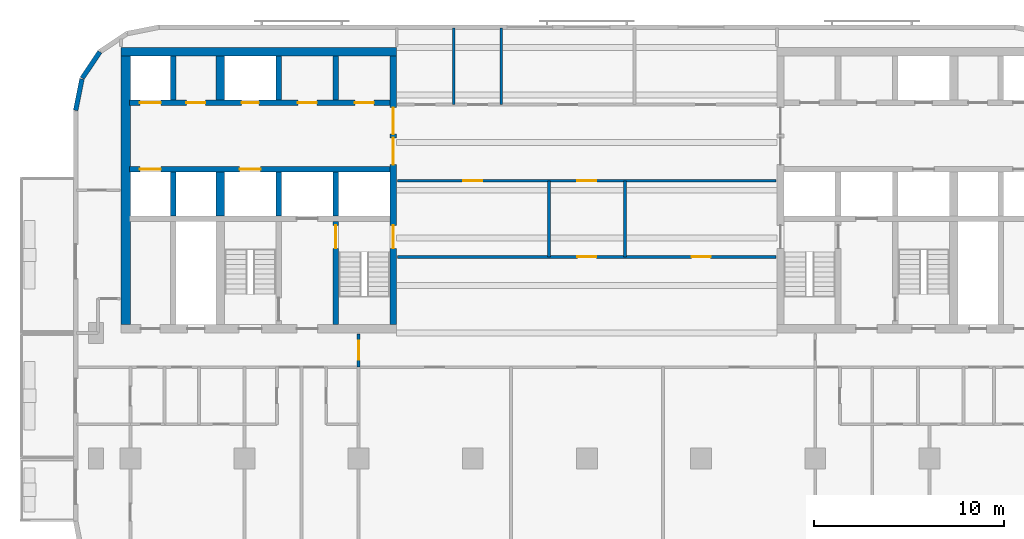
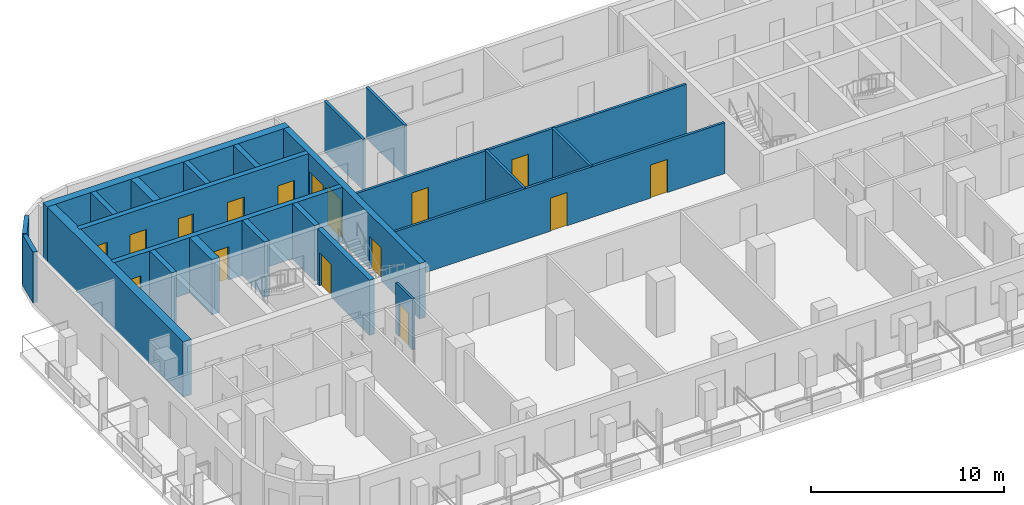
# One storey, part 4 of 11: 23 walls, 16 doors, 16 openings.
"""IFC4 building model written with IfcOpenShell, lengths in metres."""

from ifc_helpers import new_model, si_unit, direction, frame, frame_2d, origin, place, context, subcontext, project, spatial, rectangle, extrude, material, layer, layer_set, type_object, element, fill, save


model = new_model("IFC4")

# Units and contexts
model_context = context("Model", 3, precision=1e-05, world=origin(), true_north=direction((0.0, 1.0)))
body_context = subcontext(model_context, "Body", "Model", "MODEL_VIEW")
ifc_project = project(units=[si_unit("LENGTHUNIT", "METRE"), si_unit("AREAUNIT", "SQUARE_METRE"), si_unit("VOLUMEUNIT", "CUBIC_METRE"), si_unit("PLANEANGLEUNIT", "RADIAN"), si_unit("MASSUNIT", "GRAM", prefix="KILO")], contexts=[model_context])

# Site, building, storey
site_placement = place(None, origin())
site = spatial("IfcSite", under=ifc_project, at=site_placement, CompositionType="ELEMENT")
building_placement = place(site_placement, origin())
building = spatial("IfcBuilding", under=site, at=building_placement, Name="Torana Hotel and Residences", CompositionType="ELEMENT")
storey_placement = place(building_placement, frame((0.0, 0.0, 190.60009765625)))
storey = spatial("IfcBuildingStorey", under=building, at=storey_placement, Name="L49", CompositionType="ELEMENT", Elevation=190.60009765625)

# Wall, openings, doors
ifc_material_1 = material(Name="Concrete C70/85", Category="concrete")
ifc_layer_1 = layer(ifc_material_1, 0.300048828125)
ifc_layer_set_1 = layer_set([ifc_layer_1], Name="CORE WALL 300 C70/85")
wall_type_1 = type_object("IfcWallType", Name="CORE WALL 300 C70/85", PredefinedType="SHEAR", material=ifc_layer_set_1)
wall_1_placement = place(storey_placement, frame((-24.050048828125, -2.89990234375, 0.0), z_axis=(0.0, 0.0, 1.0), x_axis=(1.0, 0.0, 0.0)))
wall_1 = element("IfcWall", 1, at=wall_1_placement, inside=storey, type_object=wall_type_1, Name="Core wall W row-N", PredefinedType="SHEAR", context=body_context, shape_type="SweptSolid", body=[
    extrude(rectangle(XDim=13.699951171875, YDim=0.300048828125, at=frame_2d((6.85009765625, 0.0))), origin(), (0.0, 0.0, 1.0), 3.5),
])
opening_1_placement = place(wall_1_placement, frame((0.550048828125, 0.0, 0.0)))
opening_1 = element("IfcOpeningElement", 2, at=opening_1_placement, cuts=wall_1, Name="Opening LD", PredefinedType="OPENING", context=body_context, shape_type="SweptSolid", body=[
    extrude(rectangle(XDim=1.10009765625, YDim=2.10009765625, at=frame_2d((0.550048828125, 1.050048828125))), frame((0.0, 0.159912109375, 0.0), z_axis=(0.0, -1.0, 0.0), x_axis=(1.0, 0.0, 0.0)), (0.0, 0.0, 1.0), 0.320068359375),
])
opening_2_placement = place(wall_1_placement, frame((5.89990234375, 0.0, 0.0)))
opening_2 = element("IfcOpeningElement", 3, at=opening_2_placement, cuts=wall_1, Name="Opening L49-08", PredefinedType="OPENING", context=body_context, shape_type="SweptSolid", body=[
    extrude(rectangle(XDim=0.89990234375, YDim=2.10009765625, at=frame_2d((0.449951171875, 1.050048828125))), frame((0.0, 0.159912109375, 0.0), z_axis=(0.0, -1.0, 0.0), x_axis=(1.0, 0.0, 0.0)), (0.0, 0.0, 1.0), 0.320068359375),
])
opening_3_placement = place(wall_1_placement, frame((11.85009765625, 0.0, 0.0)))
opening_3 = element("IfcOpeningElement", 4, at=opening_3_placement, cuts=wall_1, Name="Opening L49-09", PredefinedType="OPENING", context=body_context, shape_type="SweptSolid", body=[
    extrude(rectangle(XDim=1.0, YDim=2.10009765625, at=frame_2d((0.5, 1.050048828125))), frame((0.0, 0.159912109375, 0.0), z_axis=(0.0, -1.0, 0.0), x_axis=(1.0, 0.0, 0.0)), (0.0, 0.0, 1.0), 0.320068359375),
])
opening_4_placement = place(wall_1_placement, frame((8.85009765625, 0.0, 0.0)))
opening_4 = element("IfcOpeningElement", 5, at=opening_4_placement, cuts=wall_1, Name="Opening L49-10", PredefinedType="OPENING", context=body_context, shape_type="SweptSolid", body=[
    extrude(rectangle(XDim=1.0, YDim=2.10009765625, at=frame_2d((0.5, 1.050048828125))), frame((0.0, 0.159912109375, 0.0), z_axis=(0.0, -1.0, 0.0), x_axis=(1.0, 0.0, 0.0)), (0.0, 0.0, 1.0), 0.320068359375),
])
opening_5_placement = place(wall_1_placement, frame((3.0, 0.0, 0.0)))
opening_5 = element("IfcOpeningElement", 6, at=opening_5_placement, cuts=wall_1, Name="Opening L49-11", PredefinedType="OPENING", context=body_context, shape_type="SweptSolid", body=[
    extrude(rectangle(XDim=1.0, YDim=2.10009765625, at=frame_2d((0.5, 1.050048828125))), frame((0.0, 0.159912109375, 0.0), z_axis=(0.0, -1.0, 0.0), x_axis=(1.0, 0.0, 0.0)), (0.0, 0.0, 1.0), 0.320068359375),
])
ifc_material_2 = material(Name="Steel S235", Category="steel")
door_type_1 = type_object("IfcDoorType", Name="CORE ROOM FIRE DOOR D14 1000x2100", OperationType="SINGLE_SWING_LEFT", PredefinedType="DOOR", material=ifc_material_2)
door_1_placement = place(opening_3_placement, origin())
door_1 = element("IfcDoor", 7, at=door_1_placement, inside=storey, type_object=door_type_1, Name="N0 door L49", OperationType="SINGLE_SWING_RIGHT", OverallHeight=2.10009765625, OverallWidth=1.0, PredefinedType="DOOR", context=body_context, shape_type="SweptSolid", body=[
    extrude(rectangle(XDim=1.0, YDim=2.10009765625, at=frame_2d((0.5, 1.050048828125))), frame((0.0, 0.02490234375, 0.0), z_axis=(0.0, -1.0, 0.0), x_axis=(1.0, 0.0, 0.0)), (0.0, 0.0, 1.0), 0.050048828125),
])
fill(opening_3, door_1)
door_2_placement = place(opening_4_placement, origin())
door_2 = element("IfcDoor", 8, at=door_2_placement, inside=storey, type_object=door_type_1, Name="N1 door L49", OperationType="SINGLE_SWING_RIGHT", OverallHeight=2.10009765625, OverallWidth=1.0, PredefinedType="DOOR", context=body_context, shape_type="SweptSolid", body=[
    extrude(rectangle(XDim=1.0, YDim=2.10009765625, at=frame_2d((0.5, 1.050048828125))), frame((0.0, 0.02490234375, 0.0), z_axis=(0.0, -1.0, 0.0), x_axis=(1.0, 0.0, 0.0)), (0.0, 0.0, 1.0), 0.050048828125),
])
fill(opening_4, door_2)
door_3_placement = place(opening_5_placement, origin())
door_3 = element("IfcDoor", 9, at=door_3_placement, inside=storey, type_object=door_type_1, Name="Freed-S1 door L49", OperationType="SINGLE_SWING_RIGHT", OverallHeight=2.10009765625, OverallWidth=1.0, PredefinedType="DOOR", context=body_context, shape_type="SweptSolid", body=[
    extrude(rectangle(XDim=1.0, YDim=2.10009765625, at=frame_2d((0.5, 1.050048828125))), frame((0.0, 0.02490234375, 0.0), z_axis=(0.0, -1.0, 0.0), x_axis=(1.0, 0.0, 0.0)), (0.0, 0.0, 1.0), 0.050048828125),
])
fill(opening_5, door_3)
ifc_material_3 = material(Name="Stainless steel 316", Category="steel")
door_type_2 = type_object("IfcDoorType", Name="LIFT LANDING DOOR LD 1100x2100", OperationType="DOUBLE_DOOR_SLIDING", PredefinedType="USERDEFINED", material=ifc_material_3)
door_4_placement = place(opening_1_placement, origin())
door_4 = element("IfcDoor", 10, at=door_4_placement, inside=storey, type_object=door_type_2, Name="Lift landing door M1 L49", ObjectType="LIFT LANDING DOOR", OperationType="DOUBLE_DOOR_SLIDING", OverallHeight=2.10009765625, OverallWidth=1.10009765625, PredefinedType="USERDEFINED", context=body_context, shape_type="SweptSolid", body=[
    extrude(rectangle(XDim=1.10009765625, YDim=2.10009765625, at=frame_2d((0.550048828125, 1.050048828125))), frame((0.0, 0.02490234375, 0.0), z_axis=(0.0, -1.0, 0.0), x_axis=(1.0, 0.0, 0.0)), (0.0, 0.0, 1.0), 0.050048828125),
])
fill(opening_1, door_4)
ifc_material_4 = material(Name="Steel S235", Category="steel")
door_type_3 = type_object("IfcDoorType", Name="RISER ACCESS DOOR D5 900x2100", OperationType="SINGLE_SWING_LEFT", PredefinedType="DOOR", material=ifc_material_4)
door_5_placement = place(opening_2_placement, origin())
door_5 = element("IfcDoor", 11, at=door_5_placement, inside=storey, type_object=door_type_3, Name="N2 door L49", OperationType="SINGLE_SWING_RIGHT", OverallHeight=2.10009765625, OverallWidth=0.89990234375, PredefinedType="DOOR", context=body_context, shape_type="SweptSolid", body=[
    extrude(rectangle(XDim=0.89990234375, YDim=2.10009765625, at=frame_2d((0.449951171875, 1.050048828125))), frame((0.0, 0.02490234375, 0.0), z_axis=(0.0, -1.0, 0.0), x_axis=(1.0, 0.0, 0.0)), (0.0, 0.0, 1.0), 0.050048828125),
])
fill(opening_2, door_5)

wall_2_placement = place(storey_placement, frame((-24.050048828125, -6.39990234375, 0.0), z_axis=(0.0, 0.0, 1.0), x_axis=(1.0, 0.0, 0.0)))
wall_2 = element("IfcWall", 12, at=wall_2_placement, inside=storey, type_object=wall_type_1, Name="Core wall W row-S", PredefinedType="SHEAR", context=body_context, shape_type="SweptSolid", body=[
    extrude(rectangle(XDim=13.699951171875, YDim=0.300048828125, at=frame_2d((6.85009765625, 0.0))), origin(), (0.0, 0.0, 1.0), 3.5),
])
opening_6_placement = place(wall_2_placement, frame((0.550048828125, 0.0, 0.0)))
opening_6 = element("IfcOpeningElement", 13, at=opening_6_placement, cuts=wall_2, Name="Opening LD", PredefinedType="OPENING", context=body_context, shape_type="SweptSolid", body=[
    extrude(rectangle(XDim=1.10009765625, YDim=2.10009765625, at=frame_2d((0.550048828125, 1.050048828125))), frame((0.0, 0.159912109375, 0.0), z_axis=(0.0, -1.0, 0.0), x_axis=(1.0, 0.0, 0.0)), (0.0, 0.0, 1.0), 0.320068359375),
])
opening_7_placement = place(wall_2_placement, frame((5.800048828125, 0.0, 0.0)))
opening_7 = element("IfcOpeningElement", 14, at=opening_7_placement, cuts=wall_2, Name="Opening LD", PredefinedType="OPENING", context=body_context, shape_type="SweptSolid", body=[
    extrude(rectangle(XDim=1.10009765625, YDim=2.10009765625, at=frame_2d((0.550048828125, 1.050048828125))), frame((0.0, 0.159912109375, 0.0), z_axis=(0.0, -1.0, 0.0), x_axis=(1.0, 0.0, 0.0)), (0.0, 0.0, 1.0), 0.320068359375),
])
door_6_placement = place(opening_6_placement, origin())
door_6 = element("IfcDoor", 15, at=door_6_placement, inside=storey, type_object=door_type_2, Name="Lift landing door M2 L49", ObjectType="LIFT LANDING DOOR", OperationType="DOUBLE_DOOR_SLIDING", OverallHeight=2.10009765625, OverallWidth=1.10009765625, PredefinedType="USERDEFINED", context=body_context, shape_type="SweptSolid", body=[
    extrude(rectangle(XDim=1.10009765625, YDim=2.10009765625, at=frame_2d((0.550048828125, 1.050048828125))), frame((0.0, 0.02490234375, 0.0), z_axis=(0.0, -1.0, 0.0), x_axis=(1.0, 0.0, 0.0)), (0.0, 0.0, 1.0), 0.050048828125),
])
fill(opening_6, door_6)
door_7_placement = place(opening_7_placement, origin())
door_7 = element("IfcDoor", 16, at=door_7_placement, inside=storey, type_object=door_type_2, Name="Lift landing door SV1 L49", ObjectType="LIFT LANDING DOOR", OperationType="DOUBLE_DOOR_SLIDING", OverallHeight=2.10009765625, OverallWidth=1.10009765625, PredefinedType="USERDEFINED", context=body_context, shape_type="SweptSolid", body=[
    extrude(rectangle(XDim=1.10009765625, YDim=2.10009765625, at=frame_2d((0.550048828125, 1.050048828125))), frame((0.0, 0.02490234375, 0.0), z_axis=(0.0, -1.0, 0.0), x_axis=(1.0, 0.0, 0.0)), (0.0, 0.0, 1.0), 0.050048828125),
])
fill(opening_7, door_7)

# Walls
for number, where, z_axis, x_axis, name in (
    (17, (-13.199951171875, -2.75, 0.0), (0.0, 0.0, 1.0), (0.0, 1.0, 0.0), "Core wall W x3.05-N"),
    (18, (-13.199951171875, -8.85009765625, 0.0), (0.0, 0.0, 1.0), (0.0, 1.0, 0.0), "Core wall W x3.05-S"),
):
    element("IfcWall", number, at=place(storey_placement, frame(where, z_axis=z_axis, x_axis=x_axis)), inside=storey, type_object=wall_type_1, Name=name, PredefinedType="SHEAR", context=body_context, shape_type="SweptSolid", body=[
        extrude(rectangle(XDim=2.300048828125, YDim=0.300048828125, at=frame_2d((1.14990234375, 0.0))), origin(), (0.0, 0.0, 1.0), 3.5),
    ])

# Wall, opening, door
wall_3_placement = place(storey_placement, frame((-13.199951171875, -14.550048828125, 0.0), z_axis=(0.0, 0.0, 1.0), x_axis=(0.0, 1.0, 0.0)))
wall_3 = element("IfcWall", 19, at=wall_3_placement, inside=storey, type_object=wall_type_1, Name="Core wall W x3.05-band", PredefinedType="SHEAR", context=body_context, shape_type="SweptSolid", body=[
    extrude(rectangle(XDim=5.400146484375, YDim=0.300048828125, at=frame_2d((2.7001953125, 0.0))), origin(), (0.0, 0.0, 1.0), 3.5),
])
opening_8_placement = place(wall_3_placement, frame((4.0, 0.0, 0.0)))
opening_8 = element("IfcOpeningElement", 20, at=opening_8_placement, cuts=wall_3, Name="Opening L49-12", PredefinedType="OPENING", context=body_context, shape_type="SweptSolid", body=[
    extrude(rectangle(XDim=1.199951171875, YDim=2.10009765625, at=frame_2d((0.60009765625, 1.050048828125))), frame((0.0, 0.159912109375, 0.0), z_axis=(0.0, -1.0, 0.0), x_axis=(1.0, 0.0, 0.0)), (0.0, 0.0, 1.0), 0.320068359375),
])
ifc_material_5 = material(Name="Steel S235", Category="steel")
door_type_4 = type_object("IfcDoorType", Name="STAIR FIRE DOOR D3 1200x2100", OperationType="SINGLE_SWING_LEFT", PredefinedType="DOOR", material=ifc_material_5)
door_8_placement = place(opening_8_placement, frame((0.60009765625, 0.0, 0.0), z_axis=(0.0, 0.0, 1.0), x_axis=(-1.0, 0.0, 0.0)))
door_8 = element("IfcDoor", 21, at=door_8_placement, inside=storey, type_object=door_type_4, Name="Stair-A-lobby door L49", OperationType="SINGLE_SWING_RIGHT", OverallHeight=2.10009765625, OverallWidth=1.199951171875, PredefinedType="DOOR", context=body_context, shape_type="SweptSolid", body=[
    extrude(rectangle(XDim=1.199951171875, YDim=2.10009765625, at=frame_2d((0.0, 1.050048828125))), frame((0.0, -0.02490234375, 0.0), z_axis=(0.0, 1.0, 0.0), x_axis=(-1.0, 0.0, 0.0)), (0.0, 0.0, 1.0), 0.050048828125),
])
fill(opening_8, door_8)

# Walls
for number, where, z_axis, x_axis, name in (
    (22, (-16.199951171875, -2.75, 0.0), (0.0, 0.0, 1.0), (0.0, 1.0, 0.0), "Core wall W x6.05-N"),
    (23, (-16.199951171875, -8.85009765625, 0.0), (0.0, 0.0, 1.0), (0.0, 1.0, 0.0), "Core wall W x6.05-S"),
    (24, (-21.75, -2.75, 0.0), (0.0, 0.0, 1.0), (0.0, 1.0, 0.0), "Core wall W mm-N"),
    (25, (-21.75, -8.85009765625, 0.0), (0.0, 0.0, 1.0), (0.0, 1.0, 0.0), "Core wall W mm-S"),
):
    element("IfcWall", number, at=place(storey_placement, frame(where, z_axis=z_axis, x_axis=x_axis)), inside=storey, type_object=wall_type_1, Name=name, PredefinedType="SHEAR", context=body_context, shape_type="SweptSolid", body=[
        extrude(rectangle(XDim=2.300048828125, YDim=0.300048828125, at=frame_2d((1.14990234375, 0.0))), origin(), (0.0, 0.0, 1.0), 3.5),
    ])

# Wall, openings, doors
ifc_material_6 = material(Name="Concrete C70/85", Category="concrete")
ifc_layer_2 = layer(ifc_material_6, 0.35009765625)
ifc_layer_set_2 = layer_set([ifc_layer_2], Name="CORE WALL 350 C70/85")
wall_type_2 = type_object("IfcWallType", Name="CORE WALL 350 C70/85", PredefinedType="SHEAR", material=ifc_layer_set_2)
wall_4_placement = place(storey_placement, frame((-10.175048828125, -14.550048828125, 0.0), z_axis=(0.0, 0.0, 1.0), x_axis=(0.0, 1.0, 0.0)))
wall_4 = element("IfcWall", 26, at=wall_4_placement, inside=storey, type_object=wall_type_2, Name="Core wall W arch", PredefinedType="SHEAR", context=body_context, shape_type="SweptSolid", body=[
    extrude(rectangle(XDim=14.10009765625, YDim=0.35009765625, at=frame_2d((7.050048828125, 0.0))), origin(), (0.0, 0.0, 1.0), 3.5),
])
opening_9_placement = place(wall_4_placement, frame((8.39990234375, 0.0, 0.0)))
opening_9 = element("IfcOpeningElement", 27, at=opening_9_placement, cuts=wall_4, Name="Opening L49-01", PredefinedType="OPENING", context=body_context, shape_type="SweptSolid", body=[
    extrude(rectangle(XDim=1.39990234375, YDim=2.39990234375, at=frame_2d((0.699951171875, 1.199951171875))), frame((0.0, 0.18505859375, 0.0), z_axis=(0.0, -1.0, 0.0), x_axis=(1.0, 0.0, 0.0)), (0.0, 0.0, 1.0), 0.3701171875),
])
opening_10_placement = place(wall_4_placement, frame((10.0, 0.0, 0.0)))
opening_10 = element("IfcOpeningElement", 28, at=opening_10_placement, cuts=wall_4, Name="Opening L49-02", PredefinedType="OPENING", context=body_context, shape_type="SweptSolid", body=[
    extrude(rectangle(XDim=1.39990234375, YDim=2.39990234375, at=frame_2d((0.699951171875, 1.199951171875))), frame((0.0, 0.18505859375, 0.0), z_axis=(0.0, -1.0, 0.0), x_axis=(1.0, 0.0, 0.0)), (0.0, 0.0, 1.0), 0.3701171875),
])
opening_11_placement = place(wall_4_placement, frame((4.0, 0.0, 0.0)))
opening_11 = element("IfcOpeningElement", 29, at=opening_11_placement, cuts=wall_4, Name="Opening L49-03", PredefinedType="OPENING", context=body_context, shape_type="SweptSolid", body=[
    extrude(rectangle(XDim=1.199951171875, YDim=2.10009765625, at=frame_2d((0.60009765625, 1.050048828125))), frame((0.0, 0.18505859375, 0.0), z_axis=(0.0, -1.0, 0.0), x_axis=(1.0, 0.0, 0.0)), (0.0, 0.0, 1.0), 0.3701171875),
])
ifc_material_7 = material(Name="Steel S235", Category="steel")
door_type_5 = type_object("IfcDoorType", Name="LOBBY FIRE DOOR D4 1400x2400", OperationType="DOUBLE_DOOR_SINGLE_SWING", PredefinedType="DOOR", material=ifc_material_7)
door_9_placement = place(opening_9_placement, origin())
door_9 = element("IfcDoor", 30, at=door_9_placement, inside=storey, type_object=door_type_5, Name="Lobby-1 door L49", OperationType="DOUBLE_DOOR_SINGLE_SWING", OverallHeight=2.39990234375, OverallWidth=1.39990234375, PredefinedType="DOOR", context=body_context, shape_type="SweptSolid", body=[
    extrude(rectangle(XDim=1.39990234375, YDim=2.39990234375, at=frame_2d((0.699951171875, 1.199951171875))), frame((0.0, 0.02490234375, 0.0), z_axis=(0.0, -1.0, 0.0), x_axis=(1.0, 0.0, 0.0)), (0.0, 0.0, 1.0), 0.050048828125),
])
fill(opening_9, door_9)
door_10_placement = place(opening_10_placement, origin())
door_10 = element("IfcDoor", 31, at=door_10_placement, inside=storey, type_object=door_type_5, Name="Lobby-2 door L49", OperationType="DOUBLE_DOOR_SINGLE_SWING", OverallHeight=2.39990234375, OverallWidth=1.39990234375, PredefinedType="DOOR", context=body_context, shape_type="SweptSolid", body=[
    extrude(rectangle(XDim=1.39990234375, YDim=2.39990234375, at=frame_2d((0.699951171875, 1.199951171875))), frame((0.0, 0.02490234375, 0.0), z_axis=(0.0, -1.0, 0.0), x_axis=(1.0, 0.0, 0.0)), (0.0, 0.0, 1.0), 0.050048828125),
])
fill(opening_10, door_10)
door_11_placement = place(opening_11_placement, origin())
door_11 = element("IfcDoor", 32, at=door_11_placement, inside=storey, type_object=door_type_4, Name="Stair-A door L49", OperationType="SINGLE_SWING_LEFT", OverallHeight=2.10009765625, OverallWidth=1.199951171875, PredefinedType="DOOR", context=body_context, shape_type="SweptSolid", body=[
    extrude(rectangle(XDim=1.199951171875, YDim=2.10009765625, at=frame_2d((0.60009765625, 1.050048828125))), frame((0.0, 0.02490234375, 0.0), z_axis=(0.0, -1.0, 0.0), x_axis=(1.0, 0.0, 0.0)), (0.0, 0.0, 1.0), 0.050048828125),
])
fill(opening_11, door_11)

# Walls
ifc_material_8 = material(Name="Concrete C70/85", Category="concrete")
ifc_layer_3 = layer(ifc_material_8, 0.449951171875)
ifc_layer_set_3 = layer_set([ifc_layer_3], Name="CORE WALL 450 C70/85")
wall_type_3 = type_object("IfcWallType", Name="CORE WALL 450 C70/85", PredefinedType="SHEAR", material=ifc_layer_set_3)
wall_5_placement = place(storey_placement, frame((-24.5, -0.22509765625, 0.0), z_axis=(0.0, 0.0, 1.0), x_axis=(1.0, 0.0, 0.0)))
element("IfcWall", 33, at=wall_5_placement, inside=storey, type_object=wall_type_3, Name="Core wall W rear", PredefinedType="SHEAR", context=body_context, shape_type="SweptSolid", body=[
    extrude(rectangle(XDim=14.5, YDim=0.449951171875, at=frame_2d((7.25, 0.0))), origin(), (0.0, 0.0, 1.0), 3.5),
])
for number, where, z_axis, x_axis, name in (
    (34, (-19.27490234375, -2.75, 0.0), (0.0, 0.0, 1.0), (0.0, 1.0, 0.0), "Core wall W hm-N"),
    (35, (-19.27490234375, -8.85009765625, 0.0), (0.0, 0.0, 1.0), (0.0, 1.0, 0.0), "Core wall W hm-S"),
):
    element("IfcWall", number, at=place(storey_placement, frame(where, z_axis=z_axis, x_axis=x_axis)), inside=storey, type_object=wall_type_3, Name=name, PredefinedType="SHEAR", context=body_context, shape_type="SweptSolid", body=[
        extrude(rectangle(XDim=2.300048828125, YDim=0.449951171875, at=frame_2d((1.14990234375, 0.0))), origin(), (0.0, 0.0, 1.0), 3.5),
    ])
ifc_material_9 = material(Name="Concrete C70/85", Category="concrete")
ifc_layer_4 = layer(ifc_material_9, 0.5)
ifc_layer_set_4 = layer_set([ifc_layer_4], Name="CORE WALL 500 C70/85")
wall_type_4 = type_object("IfcWallType", Name="CORE WALL 500 C70/85", PredefinedType="SHEAR", material=ifc_layer_set_4)
wall_6_placement = place(storey_placement, frame((-24.25, -14.550048828125, 0.0), z_axis=(0.0, 0.0, 1.0), x_axis=(0.0, 1.0, 0.0)))
element("IfcWall", 36, at=wall_6_placement, inside=storey, type_object=wall_type_4, Name="Core wall W outer", PredefinedType="SHEAR", context=body_context, shape_type="SweptSolid", body=[
    extrude(rectangle(XDim=14.10009765625, YDim=0.5, at=frame_2d((7.050048828125, 0.0))), origin(), (0.0, 0.0, 1.0), 3.5),
])
ifc_material_10 = material(Name="Black aluminium composite panel", Category="aluminium")
ifc_layer_5 = layer(ifc_material_10, 0.00390625, Name="Cladding", Category="cladding")
ifc_material_11 = material(Name="Ventilated air cavity")
ifc_layer_6 = layer(ifc_material_11, 0.0400390625, Name="Ventilated cavity", Category="cavity")
ifc_material_12 = material(Name="Mineral wool insulation")
ifc_layer_7 = layer(ifc_material_12, 0.090087890625, Name="Insulation", Category="insulation")
ifc_material_13 = material(Name="Steel S280GD", Category="steel")
ifc_layer_8 = layer(ifc_material_13, 0.092041015625, Name="Steel stud frame", Category="structure")
ifc_material_14 = material(Name="Fire rated plasterboard")
ifc_layer_9 = layer(ifc_material_14, 0.011962890625, Name="Inner board", Category="finish")
ifc_layer_10 = layer(ifc_material_14, 0.011962890625, Name="Second board", Category="finish")
ifc_layer_set_5 = layer_set([ifc_layer_5, ifc_layer_6, ifc_layer_7, ifc_layer_8, ifc_layer_9, ifc_layer_10], Name="EW1 EXTERNAL WALL BLACK METAL CLAD 250")
wall_type_5 = type_object("IfcWallType", Name="EW1 EXTERNAL WALL BLACK METAL CLAD 250", PredefinedType="SOLIDWALL", material=ifc_layer_set_5)
wall_7_placement = place(storey_placement, frame((-25.605712890625, -0.228759765625, 0.0), z_axis=(0.0, 0.0, 1.0), x_axis=(-0.55555029066, -0.831482937015, 0.0)))
element("IfcWall", 37, at=wall_7_placement, inside=storey, type_object=wall_type_5, Name="External wall L49 e0.7", PredefinedType="SOLIDWALL", context=body_context, shape_type="SweptSolid", body=[
    extrude(rectangle(XDim=1.65625, YDim=0.25, at=frame_2d((0.828125, 0.0))), origin(), (0.0, 0.0, 1.0), 3.219970703125),
])
wall_8_placement = place(storey_placement, frame((-26.544677734375, -1.651123046875, 0.0), z_axis=(0.0, 0.0, 1.0), x_axis=(-0.194999110559, -0.980803419081, 0.0)))
element("IfcWall", 38, at=wall_8_placement, inside=storey, type_object=wall_type_5, Name="External wall L49 e0.8", PredefinedType="SOLIDWALL", context=body_context, shape_type="SweptSolid", body=[
    extrude(rectangle(XDim=1.681396484375, YDim=0.25, at=frame_2d((0.8408203125, 0.0))), origin(), (0.0, 0.0, 1.0), 3.219970703125),
])
ifc_material_15 = material(Name="Gypsum plaster")
ifc_layer_11 = layer(ifc_material_15, 0.014892578125, Name="Plaster", Category="finish")
ifc_material_16 = material(Name="Concrete blockwork", Category="masonry")
ifc_layer_12 = layer(ifc_material_16, 0.1201171875, Name="Blockwork", Category="structure")
ifc_layer_13 = layer(ifc_material_15, 0.014892578125, Name="Plaster", Category="finish")
ifc_layer_set_6 = layer_set([ifc_layer_11, ifc_layer_12, ifc_layer_13], Name="FIRE PARTITION 150 BLOCKWORK")
wall_type_6 = type_object("IfcWallType", Name="FIRE PARTITION 150 BLOCKWORK", PredefinedType="PARTITIONING", material=ifc_layer_set_6)
for number, where, z_axis, x_axis, name in (
    (39, (2.0, -11.0, 0.0), (0.0, 0.0, 1.0), (0.0, 1.0, 0.0), "Partition L49"),
    (40, (-2.0, -11.0, 0.0), (0.0, 0.0, 1.0), (0.0, 1.0, 0.0), "Partition L49"),
):
    element("IfcWall", number, at=place(storey_placement, frame(where, z_axis=z_axis, x_axis=x_axis)), inside=storey, type_object=wall_type_6, Name=name, PredefinedType="PARTITIONING", context=body_context, shape_type="SweptSolid", body=[
        extrude(rectangle(XDim=4.0, YDim=0.14990234375, at=frame_2d((2.0, 0.0))), origin(), (0.0, 0.0, 1.0), 3.219970703125),
    ])

# Wall, opening, door
wall_9_placement = place(storey_placement, frame((-12.0, -16.800048828125, 0.0), z_axis=(0.0, 0.0, 1.0), x_axis=(0.0, 1.0, 0.0)))
wall_9 = element("IfcWall", 41, at=wall_9_placement, inside=storey, type_object=wall_type_6, Name="Partition L49", PredefinedType="PARTITIONING", context=body_context, shape_type="SweptSolid", body=[
    extrude(rectangle(XDim=1.75, YDim=0.14990234375, at=frame_2d((0.875, 0.0))), origin(), (0.0, 0.0, 1.0), 3.219970703125),
])
opening_12_placement = place(wall_9_placement, frame((0.39990234375, 0.0, 0.0)))
opening_12 = element("IfcOpeningElement", 42, at=opening_12_placement, cuts=wall_9, Name="Opening L49-27", PredefinedType="OPENING", context=body_context, shape_type="SweptSolid", body=[
    extrude(rectangle(XDim=1.0, YDim=2.10009765625, at=frame_2d((0.5, 1.050048828125))), frame((0.0, 0.0849609375, 0.0), z_axis=(0.0, -1.0, 0.0), x_axis=(1.0, 0.0, 0.0)), (0.0, 0.0, 1.0), 0.169921875),
])
ifc_material_17 = material(Name="Steel S235", Category="steel")
door_type_6 = type_object("IfcDoorType", Name="ENTRY FIRE DOOR D6 1000x2100", OperationType="SINGLE_SWING_LEFT", PredefinedType="DOOR", material=ifc_material_17)
door_12_placement = place(opening_12_placement, origin())
door_12 = element("IfcDoor", 43, at=door_12_placement, inside=storey, type_object=door_type_6, Name="Door L49", OperationType="SINGLE_SWING_RIGHT", OverallHeight=2.10009765625, OverallWidth=1.0, PredefinedType="DOOR", context=body_context, shape_type="SweptSolid", body=[
    extrude(rectangle(XDim=1.0, YDim=2.10009765625, at=frame_2d((0.5, 1.050048828125))), frame((0.0, 0.02490234375, 0.0), z_axis=(0.0, -1.0, 0.0), x_axis=(1.0, 0.0, 0.0)), (0.0, 0.0, 1.0), 0.050048828125),
])
fill(opening_12, door_12)

# Wall, openings, doors
wall_10_placement = place(storey_placement, frame((-9.949951171875, -11.0, 0.0), z_axis=(0.0, 0.0, 1.0), x_axis=(1.0, 0.0, 0.0)))
wall_10 = element("IfcWall", 44, at=wall_10_placement, inside=storey, type_object=wall_type_6, Name="Partition L49", PredefinedType="PARTITIONING", context=body_context, shape_type="SweptSolid", body=[
    extrude(rectangle(XDim=19.89990234375, YDim=0.14990234375, at=frame_2d((9.949951171875, 0.0))), origin(), (0.0, 0.0, 1.0), 3.219970703125),
])
opening_13_placement = place(wall_10_placement, frame((9.449951171875, 0.0, 0.0)))
opening_13 = element("IfcOpeningElement", 45, at=opening_13_placement, cuts=wall_10, Name="Opening L49-38", PredefinedType="OPENING", context=body_context, shape_type="SweptSolid", body=[
    extrude(rectangle(XDim=1.0, YDim=2.10009765625, at=frame_2d((0.5, 1.050048828125))), frame((0.0, 0.0849609375, 0.0), z_axis=(0.0, -1.0, 0.0), x_axis=(1.0, 0.0, 0.0)), (0.0, 0.0, 1.0), 0.169921875),
])
opening_14_placement = place(wall_10_placement, frame((15.449951171875, 0.0, 0.0)))
opening_14 = element("IfcOpeningElement", 46, at=opening_14_placement, cuts=wall_10, Name="Opening L49-42", PredefinedType="OPENING", context=body_context, shape_type="SweptSolid", body=[
    extrude(rectangle(XDim=1.0, YDim=2.10009765625, at=frame_2d((0.5, 1.050048828125))), frame((0.0, 0.0849609375, 0.0), z_axis=(0.0, -1.0, 0.0), x_axis=(1.0, 0.0, 0.0)), (0.0, 0.0, 1.0), 0.169921875),
])
door_13_placement = place(opening_13_placement, origin())
door_13 = element("IfcDoor", 47, at=door_13_placement, inside=storey, type_object=door_type_6, Name="Door L49", OperationType="SINGLE_SWING_RIGHT", OverallHeight=2.10009765625, OverallWidth=1.0, PredefinedType="DOOR", context=body_context, shape_type="SweptSolid", body=[
    extrude(rectangle(XDim=1.0, YDim=2.10009765625, at=frame_2d((0.5, 1.050048828125))), frame((0.0, 0.02490234375, 0.0), z_axis=(0.0, -1.0, 0.0), x_axis=(1.0, 0.0, 0.0)), (0.0, 0.0, 1.0), 0.050048828125),
])
fill(opening_13, door_13)
door_14_placement = place(opening_14_placement, origin())
door_14 = element("IfcDoor", 48, at=door_14_placement, inside=storey, type_object=door_type_6, Name="Door L49", OperationType="SINGLE_SWING_RIGHT", OverallHeight=2.10009765625, OverallWidth=1.0, PredefinedType="DOOR", context=body_context, shape_type="SweptSolid", body=[
    extrude(rectangle(XDim=1.0, YDim=2.10009765625, at=frame_2d((0.5, 1.050048828125))), frame((0.0, 0.02490234375, 0.0), z_axis=(0.0, -1.0, 0.0), x_axis=(1.0, 0.0, 0.0)), (0.0, 0.0, 1.0), 0.050048828125),
])
fill(opening_14, door_14)

wall_11_placement = place(storey_placement, frame((-9.949951171875, -7.0, 0.0), z_axis=(0.0, 0.0, 1.0), x_axis=(1.0, 0.0, 0.0)))
wall_11 = element("IfcWall", 49, at=wall_11_placement, inside=storey, type_object=wall_type_6, Name="Partition L49", PredefinedType="PARTITIONING", context=body_context, shape_type="SweptSolid", body=[
    extrude(rectangle(XDim=19.89990234375, YDim=0.14990234375, at=frame_2d((9.949951171875, 0.0))), origin(), (0.0, 0.0, 1.0), 3.219970703125),
])
opening_15_placement = place(wall_11_placement, frame((9.449951171875, 0.0, 0.0)))
opening_15 = element("IfcOpeningElement", 50, at=opening_15_placement, cuts=wall_11, Name="Opening L49-43", PredefinedType="OPENING", context=body_context, shape_type="SweptSolid", body=[
    extrude(rectangle(XDim=1.0, YDim=2.10009765625, at=frame_2d((0.5, 1.050048828125))), frame((0.0, 0.0849609375, 0.0), z_axis=(0.0, -1.0, 0.0), x_axis=(1.0, 0.0, 0.0)), (0.0, 0.0, 1.0), 0.169921875),
])
opening_16_placement = place(wall_11_placement, frame((3.449951171875, 0.0, 0.0)))
opening_16 = element("IfcOpeningElement", 51, at=opening_16_placement, cuts=wall_11, Name="Opening L49-44", PredefinedType="OPENING", context=body_context, shape_type="SweptSolid", body=[
    extrude(rectangle(XDim=1.0, YDim=2.10009765625, at=frame_2d((0.5, 1.050048828125))), frame((0.0, 0.0849609375, 0.0), z_axis=(0.0, -1.0, 0.0), x_axis=(1.0, 0.0, 0.0)), (0.0, 0.0, 1.0), 0.169921875),
])
door_15_placement = place(opening_15_placement, origin())
door_15 = element("IfcDoor", 52, at=door_15_placement, inside=storey, type_object=door_type_6, Name="Door L49", OperationType="SINGLE_SWING_RIGHT", OverallHeight=2.10009765625, OverallWidth=1.0, PredefinedType="DOOR", context=body_context, shape_type="SweptSolid", body=[
    extrude(rectangle(XDim=1.0, YDim=2.10009765625, at=frame_2d((0.5, 1.050048828125))), frame((0.0, 0.02490234375, 0.0), z_axis=(0.0, -1.0, 0.0), x_axis=(1.0, 0.0, 0.0)), (0.0, 0.0, 1.0), 0.050048828125),
])
fill(opening_15, door_15)
door_16_placement = place(opening_16_placement, frame((0.5, 0.0, 0.0), z_axis=(0.0, 0.0, 1.0), x_axis=(-1.0, 0.0, 0.0)))
door_16 = element("IfcDoor", 53, at=door_16_placement, inside=storey, type_object=door_type_6, Name="Door L49", OperationType="SINGLE_SWING_LEFT", OverallHeight=2.10009765625, OverallWidth=1.0, PredefinedType="DOOR", context=body_context, shape_type="SweptSolid", body=[
    extrude(rectangle(XDim=1.0, YDim=2.10009765625, at=frame_2d((0.0, 1.050048828125))), frame((0.0, -0.02490234375, 0.0), z_axis=(0.0, 1.0, 0.0), x_axis=(-1.0, 0.0, 0.0)), (0.0, 0.0, 1.0), 0.050048828125),
])
fill(opening_16, door_16)

# Walls
ifc_material_18 = material(Name="Ceramic tile on adhesive")
ifc_layer_14 = layer(ifc_material_18, 0.010009765625, Name="Wall tile", Category="finish")
ifc_material_19 = material(Name="Cement render")
ifc_layer_15 = layer(ifc_material_19, 0.010009765625, Name="Render", Category="finish")
ifc_layer_16 = layer(ifc_material_16, 0.110107421875, Name="Blockwork", Category="structure")
ifc_layer_17 = layer(ifc_material_19, 0.010009765625, Name="Render", Category="finish")
ifc_layer_18 = layer(ifc_material_18, 0.010009765625, Name="Wall tile", Category="finish")
ifc_layer_set_7 = layer_set([ifc_layer_14, ifc_layer_15, ifc_layer_16, ifc_layer_17, ifc_layer_18], Name="WC PARTITION 150")
wall_type_7 = type_object("IfcWallType", Name="WC PARTITION 150", PredefinedType="PLUMBINGWALL", material=ifc_layer_set_7)
for number, where, z_axis, x_axis, name in (
    (54, (-4.5, -3.0, 0.0), (0.0, 0.0, 1.0), (0.0, 1.0, 0.0), "Partition L49"),
    (55, (-7.0, -3.0, 0.0), (0.0, 0.0, 1.0), (0.0, 1.0, 0.0), "Partition L49"),
):
    element("IfcWall", number, at=place(storey_placement, frame(where, z_axis=z_axis, x_axis=x_axis)), inside=storey, type_object=wall_type_7, Name=name, PredefinedType="PLUMBINGWALL", context=body_context, shape_type="SweptSolid", body=[
        extrude(rectangle(XDim=4.02001953125, YDim=0.14990234375, at=frame_2d((2.010009765625, 0.0))), origin(), (0.0, 0.0, 1.0), 3.219970703125),
    ])

save(model, "model.ifc")
